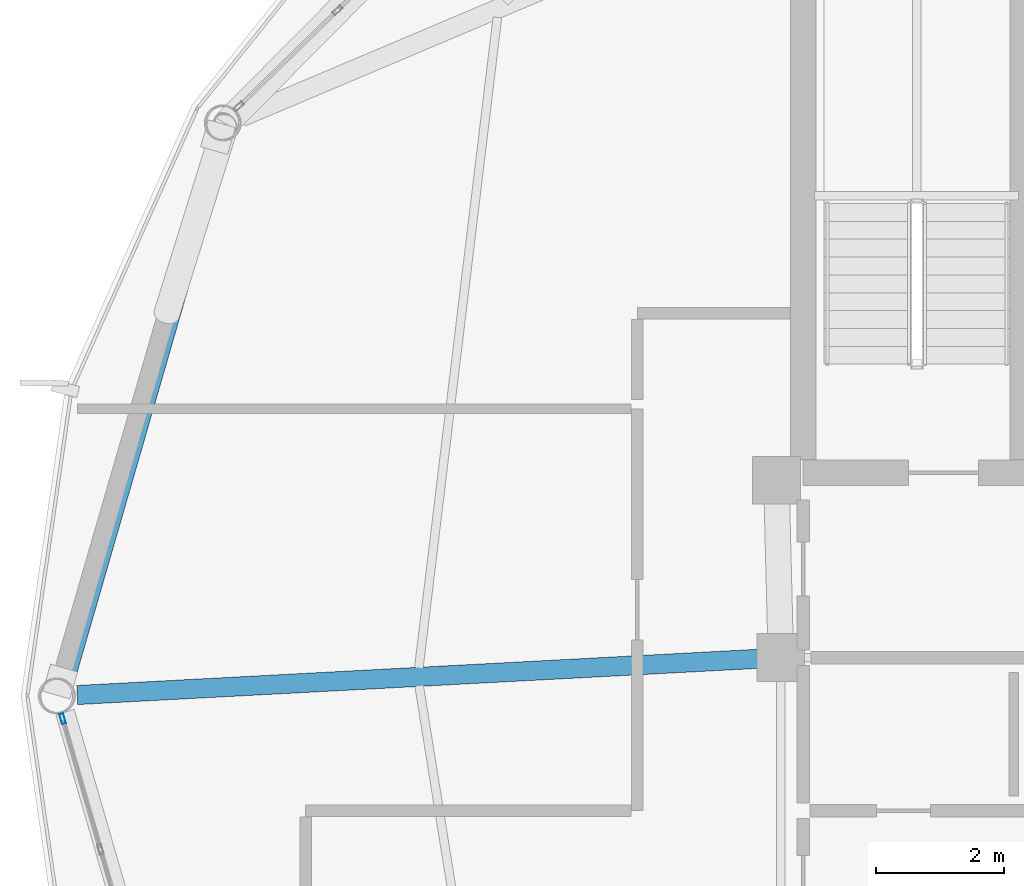
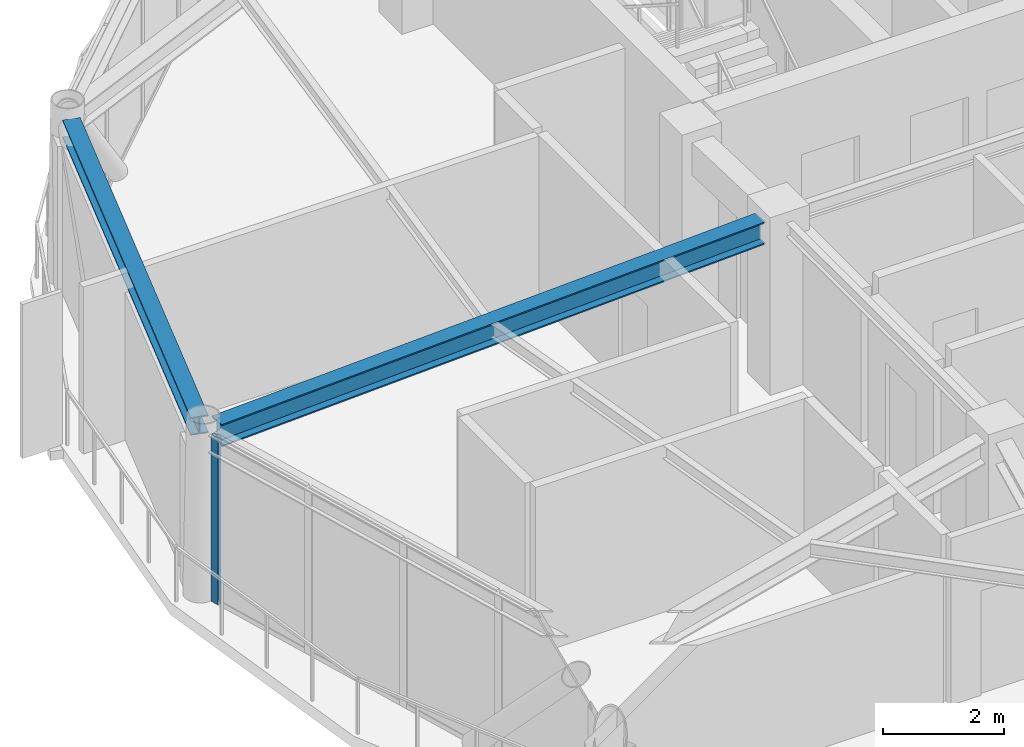
# One storey, part 11 of 27: 2 beams, 1 member, 1 element without a shape of its own.
"""IFC4 building model written with IfcOpenShell, lengths in metres."""

from ifc_helpers import new_model, si_unit, direction, frame, origin, origin_2d, place, context, subcontext, project, spatial, hollow_rectangle, i_section, extrude, material, layer, layer_set, material_profile, profile_set, type_object, element, aggregate, save


model = new_model("IFC4")

# Units and contexts
model_context = context("Model", 3, precision=1e-05, world=origin(), true_north=direction((0.0, 1.0)))
body_context = subcontext(model_context, "Body", "Model", "MODEL_VIEW")
ifc_project = project(units=[si_unit("LENGTHUNIT", "METRE"), si_unit("AREAUNIT", "SQUARE_METRE"), si_unit("VOLUMEUNIT", "CUBIC_METRE"), si_unit("PLANEANGLEUNIT", "RADIAN"), si_unit("MASSUNIT", "GRAM", prefix="KILO")], contexts=[model_context])

# Site, building, storey
site_placement = place(None, origin())
site = spatial("IfcSite", under=ifc_project, at=site_placement, CompositionType="ELEMENT")
building_placement = place(site_placement, origin())
building = spatial("IfcBuilding", under=site, at=building_placement, Name="Varnakorn Sky Granary", CompositionType="ELEMENT")
storey_placement = place(building_placement, frame((0.0, 0.0, 245.39990234375)))
storey = spatial("IfcBuildingStorey", under=building, at=storey_placement, Name="L62", CompositionType="ELEMENT", Elevation=245.39990234375)

# Beams
ifc_material_1 = material(Name="Steel S355JR", Category="steel")
ifc_material_profile_1 = material_profile(ifc_material_1, i_section(OverallWidth=0.300048828125, OverallDepth=0.449951171875, WebThickness=0.013916015625, FlangeThickness=0.02587890625, at=origin_2d()), Name="HE 450 B")
ifc_profile_set_1 = profile_set([ifc_material_profile_1], Name="Steel S355JR")
beam_type_1 = type_object("IfcBeamType", Name="BM-RAD-Z5", PredefinedType="BEAM", material=ifc_profile_set_1)
beam_1_placement = place(storey_placement, frame((-2.70458984375, 0.581298828125, 3.135009765625), z_axis=(-0.998590826242, -0.053069404989, 0.0), x_axis=(0.053069404989, -0.998590826242, 0.0)))
element("IfcBeam", 1, at=beam_1_placement, inside=storey, type_object=beam_type_1, Name="Radial Floor Girder RG07 L62", PredefinedType="BEAM", context=body_context, shape_type="SweptSolid", body=[
    extrude(i_section(OverallWidth=0.300048828125, OverallDepth=0.449951171875, WebThickness=0.013916015625, FlangeThickness=0.02587890625, at=origin_2d()), origin(), (0.0, 0.0, 1.0), 10.69140625),
])
ifc_material_profile_2 = material_profile(ifc_material_1, i_section(OverallWidth=0.300048828125, OverallDepth=0.360107421875, WebThickness=0.012451171875, FlangeThickness=0.0224609375, at=origin_2d()), Name="HE 360 B")
ifc_profile_set_2 = profile_set([ifc_material_profile_2], Name="Steel S355JR")
beam_type_2 = type_object("IfcBeamType", Name="BM-SPD-Z5", PredefinedType="SPANDREL", material=ifc_profile_set_2)
beam_2_placement = place(storey_placement, frame((-11.123779296875, 8.71484375, 3.18017578125), z_axis=(-0.277912020953, -0.96060653163, 0.0), x_axis=(0.96060653163, -0.277912020953, 0.0)))
element("IfcBeam", 2, at=beam_2_placement, inside=storey, type_object=beam_type_2, Name="Perimeter Spandrel Ring Beam RB06 L62", PredefinedType="SPANDREL", context=body_context, shape_type="SweptSolid", body=[
    extrude(i_section(OverallWidth=0.300048828125, OverallDepth=0.360107421875, WebThickness=0.012451171875, FlangeThickness=0.0224609375, at=origin_2d()), origin(), (0.0, 0.0, 1.0), 8.8076171875),
])

# Curtain wall, member
ifc_material_2 = material(Name="Anodised Bronze Aluminium Alloy 6063-T6", Category="aluminium")
ifc_layer = layer(ifc_material_2, 0.159912109375, Name="Anodised Bronze Aluminium Alloy 6063-T6")
ifc_layer_set = layer_set([ifc_layer], Name="Anodised Bronze Aluminium Alloy 6063-T6")
curtain_wall_type = type_object("IfcCurtainWallType", Name="CW-OFF-1", PredefinedType="USERDEFINED", material=ifc_layer_set)
curtain_wall_placement = place(storey_placement, origin())
curtain_wall = element("IfcCurtainWall", 3, at=curtain_wall_placement, inside=storey, type_object=curtain_wall_type, Name="Unitised Curtain Wall CW6 CW-L62-B07", ObjectType="CURTAIN WALL", PredefinedType="USERDEFINED")
ifc_material_profile_3 = material_profile(ifc_material_2, hollow_rectangle(XDim=0.06494140625, YDim=0.159912109375, WallThickness=0.00341796875, at=origin_2d()), Name="ALU MULL 65x160")
ifc_profile_set_3 = profile_set([ifc_material_profile_3], Name="Anodised Bronze Aluminium Alloy 6063-T6")
member_type = type_object("IfcMemberType", Name="CW-OFF-1-MULL", PredefinedType="MULLION", material=ifc_profile_set_3)
member_placement = place(storey_placement, frame((-13.609375, -0.357421875, 0.0), z_axis=(0.0, 0.0, 1.0), x_axis=(-0.960483292406, -0.278337645691, 0.0)))
member = element("IfcMember", 4, at=member_placement, type_object=member_type, Name="CW6 mullion 5", PredefinedType="MULLION", context=body_context, shape_type="SweptSolid", body=[
    extrude(hollow_rectangle(XDim=0.06494140625, YDim=0.159912109375, WallThickness=0.00341796875, at=origin_2d()), origin(), (0.0, 0.0, 1.0), 3.360107421875),
])
aggregate(curtain_wall, [member])

save(model, "model.ifc")
